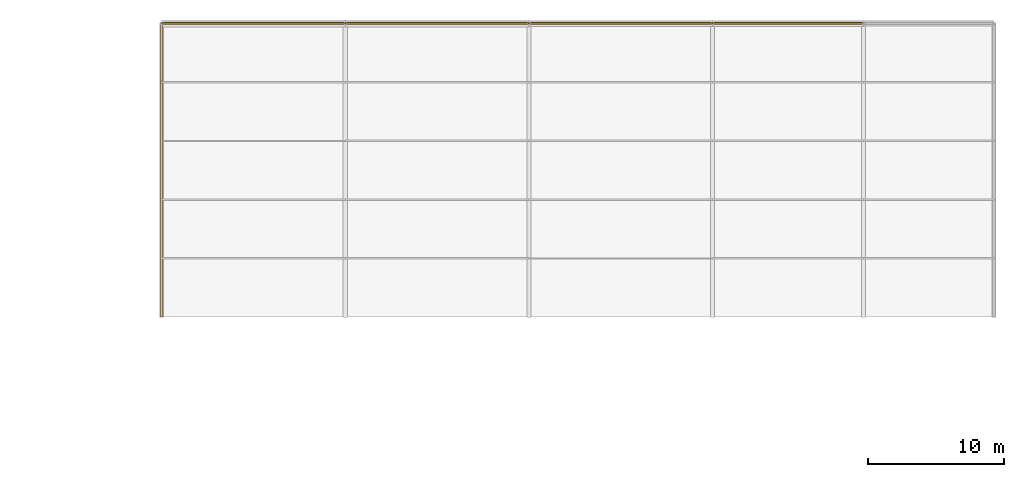
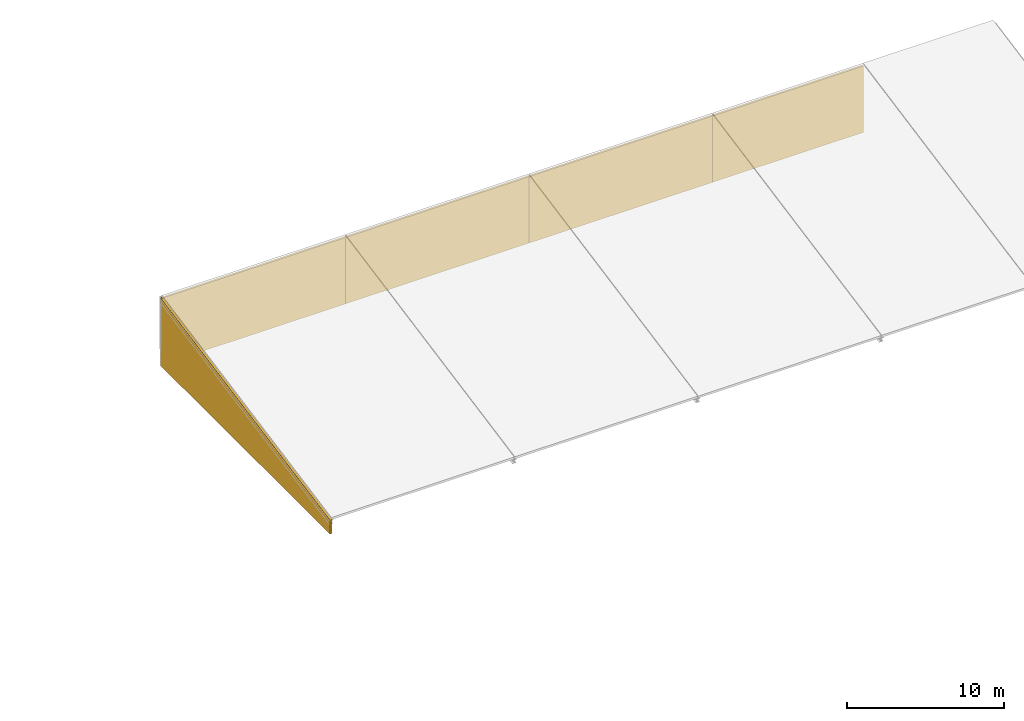
# One storey, part 78 of 80: 5 coverings.
"""IFC4 building model written with IfcOpenShell, lengths in metres."""

from ifc_helpers import new_model, si_unit, direction, frame, frame_2d, origin, place, context, subcontext, project, spatial, polyline, rectangle, outline, extrude, material, layer, layer_set, type_object, element, save


model = new_model("IFC4")

# Units and contexts
model_context = context("Model", 3, precision=1e-05, world=origin(), true_north=direction((0.0, 1.0)))
body_context = subcontext(model_context, "Body", "Model", "MODEL_VIEW")
ifc_project = project(units=[si_unit("LENGTHUNIT", "METRE"), si_unit("AREAUNIT", "SQUARE_METRE"), si_unit("VOLUMEUNIT", "CUBIC_METRE"), si_unit("PLANEANGLEUNIT", "RADIAN"), si_unit("MASSUNIT", "GRAM", prefix="KILO")], contexts=[model_context])

# Site, building, storey
site_placement = place(None, origin())
site = spatial("IfcSite", under=ifc_project, at=site_placement, CompositionType="ELEMENT")
building_placement = place(site_placement, origin())
building = spatial("IfcBuilding", under=site, at=building_placement, Name="Fikremerkos Civic Library", CompositionType="ELEMENT")
storey_placement = place(building_placement, frame((0.0, 0.0, 9.89990234375)))
storey = spatial("IfcBuildingStorey", under=building, at=storey_placement, Name="L02", CompositionType="ELEMENT", Elevation=9.89990234375)

# Coverings
ifc_material_1 = material(Name="Anodised aluminium mullion and transom", Category="aluminium")
ifc_layer_1 = layer(ifc_material_1, 0.139892578125, Name="Anodised aluminium mullion and transom")
ifc_layer_set_1 = layer_set([ifc_layer_1], Name="Anodised aluminium mullion and transom")
covering_type_1 = type_object("IfcCoveringType", Name="Anodised aluminium clerestory closure CLD-03", PredefinedType="CLADDING", material=ifc_layer_set_1)
for number, where, z_axis, x_axis, name in (
    (1, (73.199951171875, 117.60009765625, -1.14990234375), (0.0, 0.0, 1.0), (1.0, 0.0, 0.0), "Children's pavilion north-light clerestory closure CLD-03 bay 1"),
    (2, (86.699951171875, 117.60009765625, -1.14990234375), (0.0, 0.0, 1.0), (1.0, 0.0, 0.0), "Children's pavilion north-light clerestory closure CLD-03 bay 2"),
    (3, (100.199951171875, 117.60009765625, -1.14990234375), (0.0, 0.0, 1.0), (1.0, 0.0, 0.0), "Children's pavilion north-light clerestory closure CLD-03 bay 3"),
):
    element("IfcCovering", number, at=place(storey_placement, frame(where, z_axis=z_axis, x_axis=x_axis)), inside=storey, type_object=covering_type_1, Name=name, PredefinedType="CLADDING", context=body_context, shape_type="SweptSolid", body=[
        extrude(rectangle(XDim=13.5, YDim=0.139892578125, at=frame_2d((6.75, 0.0))), origin(), (0.0, 0.0, 1.0), 5.1650390625),
    ])
covering_1_placement = place(storey_placement, frame((113.699951171875, 117.60009765625, -1.14990234375), z_axis=(0.0, 0.0, 1.0), x_axis=(1.0, 0.0, 0.0)))
element("IfcCovering", 4, at=covering_1_placement, inside=storey, type_object=covering_type_1, Name="Children's pavilion north-light clerestory closure CLD-03 bay 4", PredefinedType="CLADDING", context=body_context, shape_type="SweptSolid", body=[
    extrude(rectangle(XDim=11.10009765625, YDim=0.139892578125, at=frame_2d((5.550048828125, 0.0))), origin(), (0.0, 0.0, 1.0), 5.1650390625),
])
ifc_material_2 = material(Name="Precast basalt cladding panel", Category="masonry")
ifc_layer_2 = layer(ifc_material_2, 0.159912109375, Name="Precast basalt cladding panel")
ifc_layer_set_2 = layer_set([ifc_layer_2], Name="Precast basalt cladding panel")
covering_type_2 = type_object("IfcCoveringType", Name="Precast basalt cladding panel CLD-02", PredefinedType="CLADDING", material=ifc_layer_set_2)
covering_2_placement = place(storey_placement, frame((73.199951171875, 96.0, -1.25), z_axis=(0.0, 0.0, 1.0), x_axis=(0.0, 1.0, 0.0)))
element("IfcCovering", 5, at=covering_2_placement, inside=storey, type_object=covering_type_2, Name="Children's pavilion west mono-pitch gable closure CLD-02", PredefinedType="CLADDING", context=body_context, shape_type="SweptSolid", body=[
    extrude(outline(polyline([(0.0, 0.0), (21.60009765625, 0.0), (21.60009765625, 5.26513671875), (0.0, 1.065185546875), (0.0, 0.0)])), frame((0.0, 0.080078125, 0.0), z_axis=(0.0, -1.0, 0.0), x_axis=(1.0, 0.0, 0.0)), (0.0, 0.0, 1.0), 0.159912109375),
])

save(model, "model.ifc")
